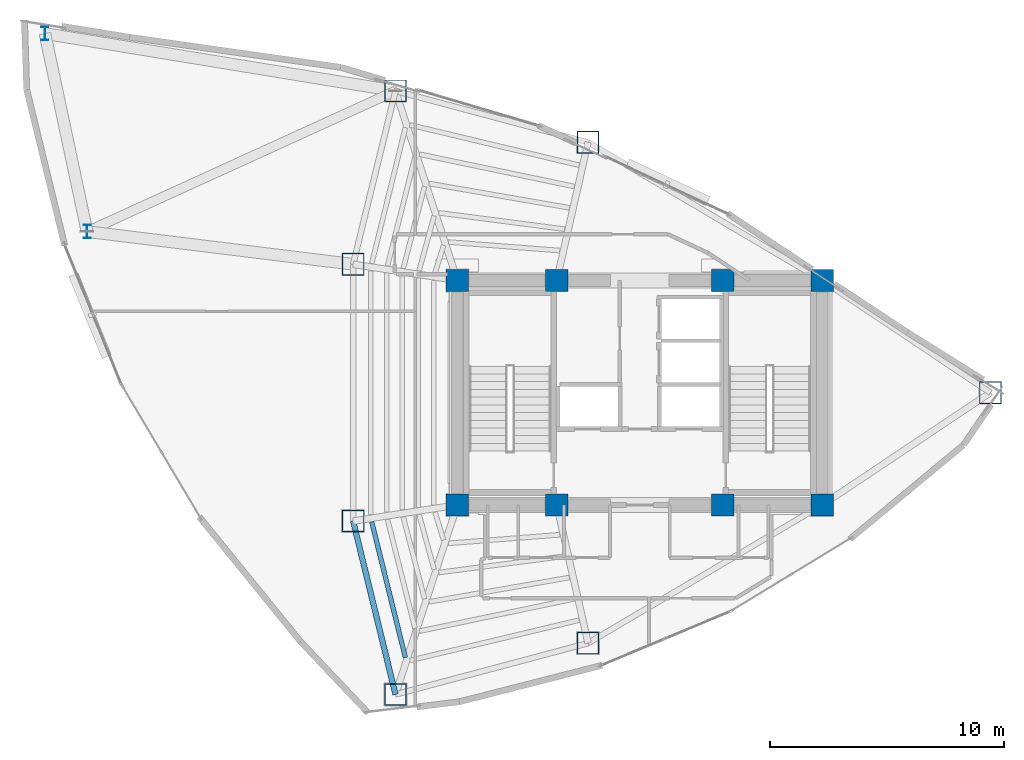
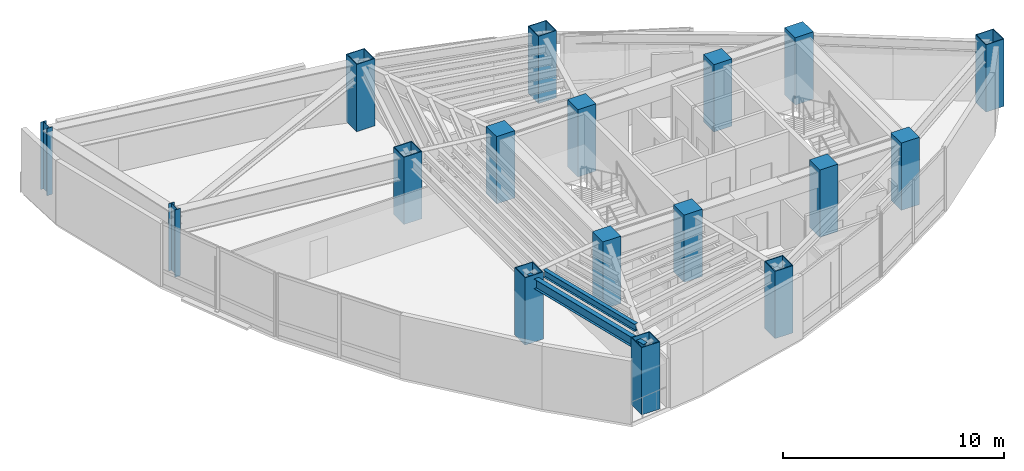
# One storey, part 1 of 16: 17 columns, 2 beams.
"""IFC4 building model written with IfcOpenShell, lengths in metres."""

import ifcopenshell
import ifcopenshell.guid

model = None  # the IFC model being written
_history = None  # IfcOwnerHistory: only IFC2X3 demands one
_inside = {}  # id of a spatial element -> (the spatial element, [elements in it])
_under = {}  # id of a project, library or spatial element -> (it, [spatial elements below it])
_declared = {}  # id of a project -> (the project, [libraries it declares])
_typed = {}  # id of a type object -> (the type object, [elements of that type])
_made_of = {}  # id of a material, layer set ... -> (it, [elements and type objects made of it])


def new_model(schema):
    """Start an empty IFC model of exactly this schema.

    Asked for "IFC4X3", IfcOpenShell would pick the latest addendum, in which some entities
    have other attributes; the version numbers below select the first issue.
    IFC2X3 requires an IfcOwnerHistory on every rooted entity: one is made here for all.
    """
    global model, _history
    if schema == "IFC4X3":
        model = ifcopenshell.file(schema_version=(4, 3, 0, 0))
    else:
        model = ifcopenshell.file(schema=schema)
    _inside.clear()
    _under.clear()
    _declared.clear()
    _typed.clear()
    _made_of.clear()
    _history = None
    if model.schema == "IFC2X3":
        org = make("IfcOrganization", Name="unknown")
        user = make(
            "IfcPersonAndOrganization",
            ThePerson=make("IfcPerson", FamilyName="unknown"),
            TheOrganization=org,
        )
        app = make(
            "IfcApplication",
            ApplicationDeveloper=org,
            Version="unknown",
            ApplicationFullName="unknown",
            ApplicationIdentifier="unknown",
        )
        _history = make(
            "IfcOwnerHistory",
            OwningUser=user,
            OwningApplication=app,
            ChangeAction="ADDED",
            CreationDate=0,
        )
    return model


def make(cls, **values):
    """One entity of the class cls with the attributes given. An attribute that is None is left unset."""
    return model.create_entity(
        cls, **{name: value for name, value in values.items() if value is not None}
    )


def rooted(cls, **values):
    """An entity with a GlobalId (a new one), such as an element, a storey or a relation."""
    return make(cls, GlobalId=ifcopenshell.guid.new(), OwnerHistory=_history, **values)


def si_unit(unit_type, name, prefix=None):
    """IfcSIUnit, for example si_unit("LENGTHUNIT", "METRE", prefix="MILLI")."""
    return make("IfcSIUnit", UnitType=unit_type, Prefix=prefix, Name=name)


def assignment(units):
    """IfcUnitAssignment: the units of a project."""
    return None if units is None else make("IfcUnitAssignment", Units=units)


def point(xyz):
    """IfcCartesianPoint."""
    return None if xyz is None else make("IfcCartesianPoint", Coordinates=xyz)


def direction(xyz):
    """IfcDirection."""
    return None if xyz is None else make("IfcDirection", DirectionRatios=xyz)


def frame(location, z_axis=None, x_axis=None):
    """IfcAxis2Placement3D, a coordinate frame: its origin and axes. An axis left out is left unset."""
    return make(
        "IfcAxis2Placement3D",
        Location=point(location),
        Axis=direction(z_axis),
        RefDirection=direction(x_axis),
    )


def frame_2d(location, x_axis=None):
    """IfcAxis2Placement2D, a coordinate frame in the plane: its origin and x axis."""
    return make(
        "IfcAxis2Placement2D", Location=point(location), RefDirection=direction(x_axis)
    )


def origin():
    """The frame at (0, 0, 0) with its axes left unset."""
    return frame((0.0, 0.0, 0.0))


def origin_2d():
    """The frame at (0, 0) in the plane with its x axis left unset."""
    return frame_2d((0.0, 0.0))


def place(relative_to, where):
    """IfcLocalPlacement: puts the frame where relative to a parent placement (None: the world)."""
    return make(
        "IfcLocalPlacement", PlacementRelTo=relative_to, RelativePlacement=where
    )


def context(
    kind, dimensions, precision=None, world=None, true_north=None, identifier=None
):
    """IfcGeometricRepresentationContext, for example the 3D "Model" context."""
    return make(
        "IfcGeometricRepresentationContext",
        ContextIdentifier=identifier,
        ContextType=kind,
        CoordinateSpaceDimension=dimensions,
        Precision=precision,
        WorldCoordinateSystem=world,
        TrueNorth=true_north,
    )


def subcontext(parent, identifier, kind, view, scale=None):
    """IfcGeometricRepresentationSubContext, for example "Body" below "Model"."""
    return make(
        "IfcGeometricRepresentationSubContext",
        ContextIdentifier=identifier,
        ContextType=kind,
        ParentContext=parent,
        TargetScale=scale,
        TargetView=view,
    )


def project(units=None, contexts=None):
    """IfcProject with its units and contexts."""
    return rooted(
        "IfcProject",
        Name="project",
        RepresentationContexts=contexts,
        UnitsInContext=assignment(units),
    )


def spatial(cls, under=None, at=None, **own):
    """A site, building, storey or space (cls), placed at a placement, below another one or the project."""
    s = rooted(cls, ObjectPlacement=at, **own)
    if under is not None:
        _under.setdefault(under.id(), (under, []))[1].append(s)
    return s


def profile(cls, at=None, kind="AREA", **sizes):
    """A parametric profile (cls). Its sizes go by their IFC names, for example OverallWidth=200.0."""
    return make(cls, ProfileType=kind, Position=at, **sizes)


def rectangle(**sizes):
    """IfcRectangleProfileDef."""
    return profile("IfcRectangleProfileDef", **sizes)


def hollow_rectangle(**sizes):
    """IfcRectangleHollowProfileDef."""
    return profile("IfcRectangleHollowProfileDef", **sizes)


def i_section(**sizes):
    """IfcIShapeProfileDef."""
    return profile("IfcIShapeProfileDef", **sizes)


def extrude(swept, where, along, depth):
    """IfcExtrudedAreaSolid: the profile swept, set in the frame where, extruded along a direction by depth."""
    return make(
        "IfcExtrudedAreaSolid",
        SweptArea=swept,
        Position=where,
        ExtrudedDirection=direction(along),
        Depth=depth,
    )


def shape(context_of_items, identifier, shape_type, items):
    """IfcShapeRepresentation: the items that make up one representation, for example the "Body"."""
    return make(
        "IfcShapeRepresentation",
        ContextOfItems=context_of_items,
        RepresentationIdentifier=identifier,
        RepresentationType=shape_type,
        Items=items,
    )


def material(Name=None, Category=None):
    """IfcMaterial."""
    return make("IfcMaterial", Name=Name, Category=Category)


def material_profile(
    of_material, cross_section, Name=None, Category=None, Priority=None
):
    """IfcMaterialProfile: a cross section and its material."""
    return make(
        "IfcMaterialProfile",
        Name=Name,
        Material=of_material,
        Profile=cross_section,
        Priority=Priority,
        Category=Category,
    )


def profile_set(profiles, Name=None, composite=None):
    """IfcMaterialProfileSet."""
    return make(
        "IfcMaterialProfileSet",
        Name=Name,
        MaterialProfiles=profiles,
        CompositeProfile=composite,
    )


def made_of(thing, what):
    """Note that an element or type object is made of a material, layer set ...; save() writes the relation."""
    if what is not None:
        _made_of.setdefault(what.id(), (what, []))[1].append(thing)
    return thing


def type_object(cls, material=None, **own):
    """A type object (cls), such as IfcWallType, which elements share."""
    return made_of(rooted(cls, **own), material)


def element(
    cls,
    number,
    at=None,
    inside=None,
    cuts=None,
    type_object=None,
    material=None,
    context=None,
    identifier="Body",
    shape_type=None,
    held_by="IfcProductDefinitionShape",
    body=None,
    shapes=None,
    **own,
):
    """One element of the class cls, such as IfcWall. Its Tag is "e" and its number.

    at: its placement. inside: the storey or other place that contains it. cuts: it is an
    opening in that element (IfcRelVoidsElement). A single representation is given by context,
    identifier, shape_type and body (its items); several are given by shapes. held_by: the class
    of the entity that holds the representations. save() writes the other relations.
    """
    e = rooted(cls, Tag="e%d" % number, ObjectPlacement=at, **own)
    if body is not None:
        shapes = [shape(context, identifier, shape_type, body)]
    if shapes is not None:
        e.Representation = make(held_by, Representations=shapes)
    if inside is not None:
        _inside.setdefault(inside.id(), (inside, []))[1].append(e)
    if cuts is not None:
        rooted(
            "IfcRelVoidsElement", RelatingBuildingElement=cuts, RelatedOpeningElement=e
        )
    if type_object is not None:
        _typed.setdefault(type_object.id(), (type_object, []))[1].append(e)
    return made_of(e, material)


def aggregate(whole, parts):
    """IfcRelAggregates: a whole, such as a stair, and the parts it consists of."""
    return rooted("IfcRelAggregates", RelatingObject=whole, RelatedObjects=parts)


def save(model, path):
    """Write the relations noted so far, then the file.

    IfcRelAggregates (storeys below a building ...), IfcRelContainedInSpatialStructure (elements
    in a storey), IfcRelDefinesByType, IfcRelAssociatesMaterial and IfcRelDeclares: one each for
    every whole, place, type object, material and project.
    """
    for whole, parts in _under.values():
        aggregate(whole, parts)
    for where, things in _inside.values():
        rooted(
            "IfcRelContainedInSpatialStructure",
            RelatedElements=things,
            RelatingStructure=where,
        )
    for kind, things in _typed.values():
        rooted("IfcRelDefinesByType", RelatedObjects=things, RelatingType=kind)
    for what, things in _made_of.values():
        rooted("IfcRelAssociatesMaterial", RelatedObjects=things, RelatingMaterial=what)
    for by, libraries in _declared.values():
        rooted("IfcRelDeclares", RelatingContext=by, RelatedDefinitions=libraries)
    model.write(path)


model = new_model("IFC4")

# Units and contexts
model_context = context("Model", 3, precision=1e-05, world=origin(), true_north=direction((0.0, 1.0)))
body_context = subcontext(model_context, "Body", "Model", "MODEL_VIEW")
ifc_project = project(units=[si_unit("LENGTHUNIT", "METRE"), si_unit("AREAUNIT", "SQUARE_METRE"), si_unit("VOLUMEUNIT", "CUBIC_METRE"), si_unit("PLANEANGLEUNIT", "RADIAN"), si_unit("MASSUNIT", "GRAM", prefix="KILO")], contexts=[model_context])

# Site, building, storey
site_placement = place(None, origin())
site = spatial("IfcSite", under=ifc_project, at=site_placement, CompositionType="ELEMENT")
building_placement = place(site_placement, origin())
building = spatial("IfcBuilding", under=site, at=building_placement, Name="Menara Vayukalpa", CompositionType="ELEMENT")
storey_placement = place(building_placement, frame((0.0, 0.0, 198.9599609375)))
storey = spatial("IfcBuildingStorey", under=building, at=storey_placement, Name="L50", CompositionType="ELEMENT", Elevation=198.9599609375)

# Columns
ifc_material_1 = material(Name="Concrete C60/75", Category="concrete")
ifc_material_profile_1 = material_profile(ifc_material_1, rectangle(XDim=0.949951171875, YDim=0.949951171875, at=origin_2d()), Name="RC 950x950")
ifc_profile_set_1 = profile_set([ifc_material_profile_1], Name="Concrete C60/75")
column_type_1 = type_object("IfcColumnType", Name="COL-CC2", PredefinedType="COLUMN", material=ifc_profile_set_1)
for number, where, z_axis, x_axis, name in (
    (1, (17.800048828125, 17.199951171875, 0.0), (0.0, 0.0, 1.0), (1.0, 0.0, 0.0), "L50 Core Pilaster Column CC1"),
    (2, (22.050048828125, 17.199951171875, 0.0), (0.0, 0.0, 1.0), (1.0, 0.0, 0.0), "L50 Core Pilaster Column CC2"),
    (3, (29.14990234375, 17.199951171875, 0.0), (0.0, 0.0, 1.0), (1.0, 0.0, 0.0), "L50 Core Pilaster Column CC3"),
    (4, (33.39990234375, 17.199951171875, 0.0), (0.0, 0.0, 1.0), (1.0, 0.0, 0.0), "L50 Core Pilaster Column CC4"),
    (5, (17.800048828125, 26.800048828125, 0.0), (0.0, 0.0, 1.0), (1.0, 0.0, 0.0), "L50 Core Pilaster Column CC5"),
    (6, (22.050048828125, 26.800048828125, 0.0), (0.0, 0.0, 1.0), (1.0, 0.0, 0.0), "L50 Core Pilaster Column CC6"),
    (7, (29.14990234375, 26.800048828125, 0.0), (0.0, 0.0, 1.0), (1.0, 0.0, 0.0), "L50 Core Pilaster Column CC7"),
    (8, (33.39990234375, 26.800048828125, 0.0), (0.0, 0.0, 1.0), (1.0, 0.0, 0.0), "L50 Core Pilaster Column CC8"),
):
    element("IfcColumn", number, at=place(storey_placement, frame(where, z_axis=z_axis, x_axis=x_axis)), inside=storey, type_object=column_type_1, Name=name, PredefinedType="COLUMN", context=body_context, shape_type="SweptSolid", body=[
        extrude(rectangle(XDim=0.949951171875, YDim=0.949951171875, at=origin_2d()), origin(), (0.0, 0.0, 1.0), 3.719970703125),
    ])
ifc_material_2 = material(Name="Steel S460", Category="steel")
ifc_material_profile_2 = material_profile(ifc_material_2, hollow_rectangle(XDim=0.949951171875, YDim=0.949951171875, WallThickness=0.0400390625, at=origin_2d()), Name="BOX 950x950x40")
ifc_profile_set_2 = profile_set([ifc_material_profile_2], Name="Steel S460")
column_type_2 = type_object("IfcColumnType", Name="COL-MC4", PredefinedType="COLUMN", material=ifc_profile_set_2)
for number, where, z_axis, x_axis, name in (
    (9, (40.590576171875, 22.0, 0.0), (0.0, 0.0, 1.0), (1.0, 0.0, 0.0), "L50 Perimeter Mega Column P01"),
    (10, (23.389404296875, 32.70849609375, 0.0), (0.0, 0.0, 1.0), (1.0, 0.0, 0.0), "L50 Perimeter Mega Column P03"),
    (11, (15.15478515625, 34.902587890625, 0.0), (0.0, 0.0, 1.0), (1.0, 0.0, 0.0), "L50 Perimeter Mega Column P04"),
    (12, (13.343994140625, 27.4892578125, 0.0), (0.0, 0.0, 1.0), (1.0, 0.0, 0.0), "L50 Perimeter Mega Column P05"),
    (13, (13.343994140625, 16.5107421875, 0.0), (0.0, 0.0, 1.0), (1.0, 0.0, 0.0), "L50 Perimeter Mega Column P06"),
    (14, (15.15478515625, 9.097412109375, 0.0), (0.0, 0.0, 1.0), (1.0, 0.0, 0.0), "L50 Perimeter Mega Column P07"),
    (15, (23.389404296875, 11.29150390625, 0.0), (0.0, 0.0, 1.0), (1.0, 0.0, 0.0), "L50 Perimeter Mega Column P08"),
):
    element("IfcColumn", number, at=place(storey_placement, frame(where, z_axis=z_axis, x_axis=x_axis)), inside=storey, type_object=column_type_2, Name=name, PredefinedType="COLUMN", context=body_context, shape_type="SweptSolid", body=[
        extrude(hollow_rectangle(XDim=0.949951171875, YDim=0.949951171875, WallThickness=0.0400390625, at=origin_2d()), origin(), (0.0, 0.0, 1.0), 3.719970703125),
    ])
ifc_material_3 = material(Name="Steel S460", Category="steel")
ifc_material_profile_3 = material_profile(ifc_material_3, i_section(OverallWidth=0.300048828125, OverallDepth=0.587890625, WebThickness=0.011962890625, FlangeThickness=0.02001953125, at=origin_2d()), Name="H 588x300x12x20")
ifc_profile_set_3 = profile_set([ifc_material_profile_3], Name="Steel S460")
column_type_3 = type_object("IfcColumnType", Name="COL-SC1", PredefinedType="COLUMN", material=ifc_profile_set_3)
for number, where, z_axis, x_axis, name in (
    (16, (0.165283203125, 37.35498046875, 0.0), (0.0, 0.0, 1.0), (1.0, 0.0, 0.0), "L50 SB4 Sky Bar Vierendeel Column SB04"),
    (17, (1.96630859375, 28.889404296875, 0.0), (0.0, 0.0, 1.0), (1.0, 0.0, 0.0), "L50 SB4 Sky Bar Vierendeel Column SB05"),
):
    element("IfcColumn", number, at=place(storey_placement, frame(where, z_axis=z_axis, x_axis=x_axis)), inside=storey, type_object=column_type_3, Name=name, PredefinedType="COLUMN", context=body_context, shape_type="SweptSolid", body=[
        extrude(i_section(OverallWidth=0.300048828125, OverallDepth=0.587890625, WebThickness=0.011962890625, FlangeThickness=0.02001953125, at=origin_2d()), origin(), (0.0, 0.0, 1.0), 3.719970703125),
    ])

# Beams
ifc_material_4 = material(Name="Steel S355", Category="steel")
ifc_material_profile_4 = material_profile(ifc_material_4, i_section(OverallWidth=0.199951171875, OverallDepth=0.39990234375, WebThickness=0.008056640625, FlangeThickness=0.012939453125, at=origin_2d()), Name="WF 400x200x8x13")
ifc_profile_set_4 = profile_set([ifc_material_profile_4], Name="Steel S355")
beam_type_1 = type_object("IfcBeamType", Name="BM-SJ2", PredefinedType="JOIST", material=ifc_profile_set_4)
beam_1_placement = place(storey_placement, frame((14.14013671875, 16.47265625, 3.300048828125), z_axis=(0.240556182956, -0.970635216156, 0.0), x_axis=(0.970635216156, 0.240556182956, 0.0)))
element("IfcBeam", 18, at=beam_1_placement, inside=storey, type_object=beam_type_1, Name="L50 Secondary Floor Joist SJ06-5", PredefinedType="JOIST", context=body_context, shape_type="SweptSolid", body=[
    extrude(i_section(OverallWidth=0.199951171875, OverallDepth=0.39990234375, WebThickness=0.008056640625, FlangeThickness=0.012939453125, at=origin_2d()), origin(), (0.0, 0.0, 1.0), 5.979736328125),
])
ifc_material_5 = material(Name="Steel S355", Category="steel")
ifc_material_profile_5 = material_profile(ifc_material_5, i_section(OverallWidth=0.239990234375, OverallDepth=0.550048828125, WebThickness=0.010986328125, FlangeThickness=0.01904296875, at=origin_2d()), Name="WF 550x240x11x19")
ifc_profile_set_5 = profile_set([ifc_material_profile_5], Name="Steel S355")
beam_type_2 = type_object("IfcBeamType", Name="BM-SP2", PredefinedType="SPANDREL", material=ifc_profile_set_5)
beam_2_placement = place(storey_placement, frame((13.343994140625, 16.5107421875, 3.22509765625), z_axis=(0.237285374413, -0.971439988414, 0.0), x_axis=(0.971439988414, 0.237285374413, 0.0)))
element("IfcBeam", 19, at=beam_2_placement, inside=storey, type_object=beam_type_2, Name="L50 Perimeter Spandrel Beam SP06", PredefinedType="SPANDREL", context=body_context, shape_type="SweptSolid", body=[
    extrude(i_section(OverallWidth=0.239990234375, OverallDepth=0.550048828125, WebThickness=0.010986328125, FlangeThickness=0.01904296875, at=origin_2d()), origin(), (0.0, 0.0, 1.0), 7.63134765625),
])

save(model, "model.ifc")
